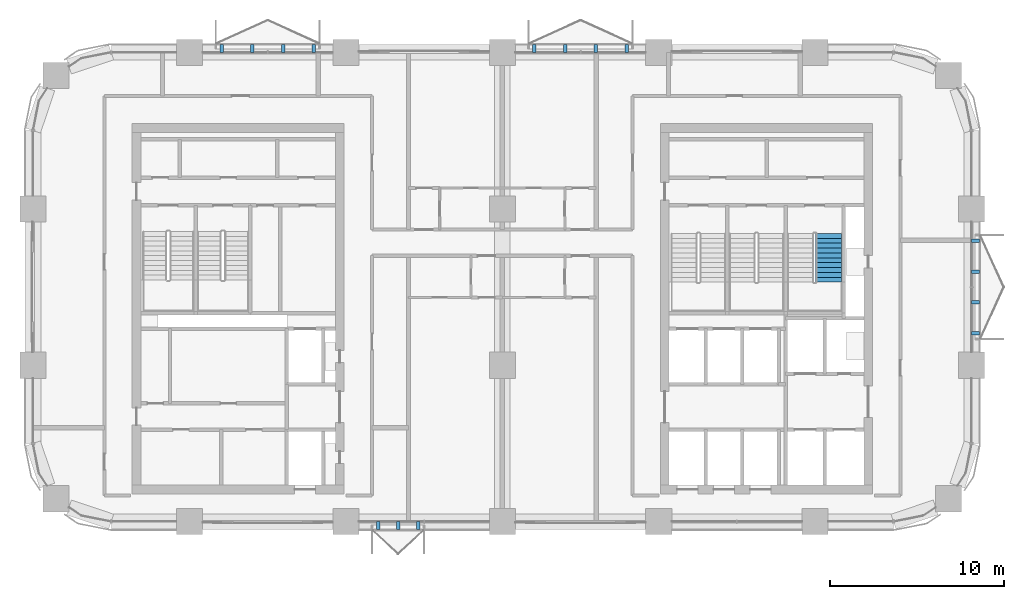
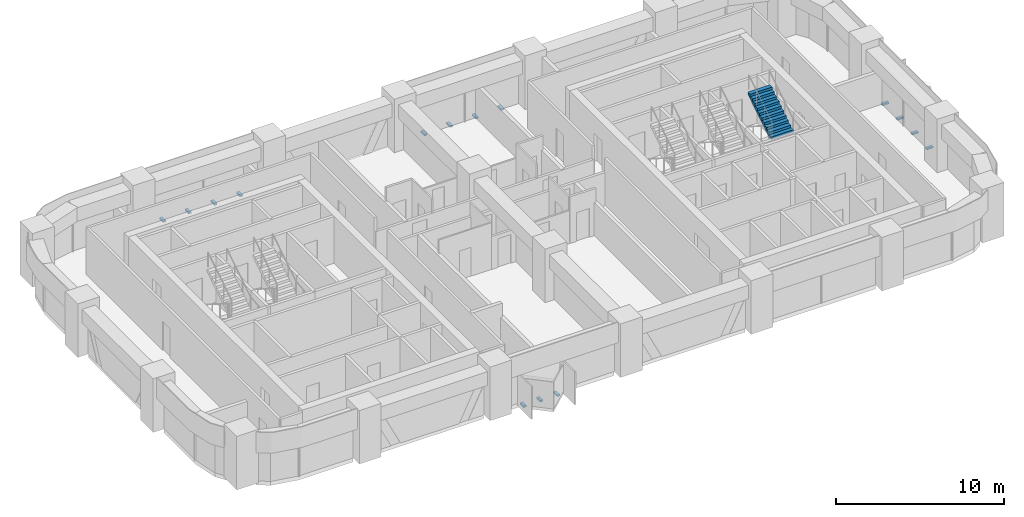
# One storey, part 12 of 14: 15 discrete accessories, 1 stair flight, 1 element without a shape of its own.
"""IFC4 building model written with IfcOpenShell, lengths in metres."""

from ifc_helpers import new_model, si_unit, direction, frame, origin, origin_2d, place, context, subcontext, project, spatial, polyline, rectangle, outline, extrude, material, type_object, element, aggregate, save


model = new_model("IFC4")

# Units and contexts
model_context = context("Model", 3, precision=1e-05, world=origin(), true_north=direction((0.0, 1.0)))
body_context = subcontext(model_context, "Body", "Model", "MODEL_VIEW")
ifc_project = project(units=[si_unit("LENGTHUNIT", "METRE"), si_unit("AREAUNIT", "SQUARE_METRE"), si_unit("VOLUMEUNIT", "CUBIC_METRE"), si_unit("PLANEANGLEUNIT", "RADIAN"), si_unit("MASSUNIT", "GRAM", prefix="KILO")], contexts=[model_context])

# Site, building, storey
site_placement = place(None, origin())
site = spatial("IfcSite", under=ifc_project, at=site_placement, CompositionType="ELEMENT")
building_placement = place(site_placement, origin())
building = spatial("IfcBuilding", under=site, at=building_placement, Name="Tessera Arch", CompositionType="ELEMENT")
storey_placement = place(building_placement, frame((0.0, 0.0, 193.39990234375)))
storey = spatial("IfcBuildingStorey", under=building, at=storey_placement, Name="L46", CompositionType="ELEMENT", Elevation=193.39990234375)

# Stair, stair flight
ifc_material_1 = material(Name="Concrete C40/50", Category="concrete")
stair_type = type_object("IfcStairType", Name="Dogleg stair 1520", PredefinedType="HALF_TURN_STAIR", material=ifc_material_1)
stair_placement = place(storey_placement, origin())
stair = element("IfcStair", 1, at=stair_placement, inside=storey, type_object=stair_type, Name="L46 S1c", PredefinedType="HALF_TURN_STAIR")
ifc_material_2 = material(Name="Concrete C40/50", Category="concrete")
stair_flight_type = type_object("IfcStairFlightType", Name="Stair flight 1520", PredefinedType="STRAIGHT", material=ifc_material_2)
stair_flight_placement = place(storey_placement, frame((45.7900390625, 40.780029296875, 1.9501953125), z_axis=(0.0, 0.0, 1.0), x_axis=(0.0, 1.0, 0.0)))
stair_flight = element("IfcStairFlight", 2, at=stair_flight_placement, type_object=stair_flight_type, Name="S1c flight 2", NumberOfRisers=11, NumberOfTreads=10, PredefinedType="STRAIGHT", RiserHeight=0.177272727, TreadLength=0.28, context=body_context, shape_type="SweptSolid", body=[
    extrude(outline(polyline([(0.0, 0.0), (0.0, 0.17724609375), (0.280029296875, 0.17724609375), (0.280029296875, 0.3544921875), (0.56005859375, 0.3544921875), (0.56005859375, 0.53173828125), (0.840087890625, 0.53173828125), (0.840087890625, 0.708984375), (1.1201171875, 0.708984375), (1.1201171875, 0.886474609375), (1.39990234375, 0.886474609375), (1.39990234375, 1.063720703125), (1.679931640625, 1.063720703125), (1.679931640625, 1.240966796875), (1.9599609375, 1.240966796875), (1.9599609375, 1.418212890625), (2.239990234375, 1.418212890625), (2.239990234375, 1.595458984375), (2.52001953125, 1.595458984375), (2.52001953125, 1.772705078125), (2.800048828125, 1.772705078125), (2.800048828125, 1.949951171875), (2.800048828125, 1.59521484375), (0.2802734375, 0.0), (0.0, 0.0)])), frame((0.0, 0.760009765625, 0.0), z_axis=(0.0, -1.0, 0.0), x_axis=(1.0, 0.0, 0.0)), (0.0, 0.0, 1.0), 1.52001953125),
])
aggregate(stair, [stair_flight])

# Discrete accessories
for number, where, z_axis, x_axis, name in (
    (3, (34.14990234375, 54.219970703125, -0.119873046875), (0.0, 0.0, 1.0), (0.0, 1.0, 0.0), "Window box bracket"),
    (4, (32.38330078125, 54.219970703125, -0.119873046875), (0.0, 0.0, 1.0), (0.0, 1.0, 0.0), "Window box bracket"),
    (5, (30.61669921875, 54.219970703125, -0.119873046875), (0.0, 0.0, 1.0), (0.0, 1.0, 0.0), "Window box bracket"),
    (6, (28.85009765625, 54.219970703125, -0.119873046875), (0.0, 0.0, 1.0), (0.0, 1.0, 0.0), "Window box bracket"),
    (7, (16.14990234375, 54.219970703125, -0.119873046875), (0.0, 0.0, 1.0), (0.0, 1.0, 0.0), "Window box bracket"),
    (8, (14.38330078125, 54.219970703125, -0.119873046875), (0.0, 0.0, 1.0), (0.0, 1.0, 0.0), "Window box bracket"),
    (9, (12.61669921875, 54.219970703125, -0.119873046875), (0.0, 0.0, 1.0), (0.0, 1.0, 0.0), "Window box bracket"),
    (10, (10.85009765625, 54.219970703125, -0.119873046875), (0.0, 0.0, 1.0), (0.0, 1.0, 0.0), "Window box bracket"),
    (11, (54.219970703125, 37.85009765625, -0.119873046875), (0.0, 0.0, 1.0), (1.0, 0.0, 0.0), "Window box bracket"),
    (12, (54.219970703125, 39.61669921875, -0.119873046875), (0.0, 0.0, 1.0), (1.0, 0.0, 0.0), "Window box bracket"),
    (13, (54.219970703125, 41.38330078125, -0.119873046875), (0.0, 0.0, 1.0), (1.0, 0.0, 0.0), "Window box bracket"),
    (14, (54.219970703125, 43.14990234375, -0.119873046875), (0.0, 0.0, 1.0), (1.0, 0.0, 0.0), "Window box bracket"),
    (15, (19.85009765625, 26.780029296875, -0.119873046875), (0.0, 0.0, 1.0), (0.0, -1.0, 0.0), "Window box bracket"),
    (16, (21.0, 26.780029296875, -0.119873046875), (0.0, 0.0, 1.0), (0.0, -1.0, 0.0), "Window box bracket"),
    (17, (22.14990234375, 26.780029296875, -0.119873046875), (0.0, 0.0, 1.0), (0.0, -1.0, 0.0), "Window box bracket"),
):
    element("IfcDiscreteAccessory", number, at=place(storey_placement, frame(where, z_axis=z_axis, x_axis=x_axis)), inside=storey, Name=name, PredefinedType="BRACKET", context=body_context, shape_type="SweptSolid", body=[
        extrude(rectangle(XDim=0.43994140625, YDim=0.199951171875, at=origin_2d()), origin(), (0.0, 0.0, 1.0), 0.1201171875),
    ])

save(model, "model.ifc")
